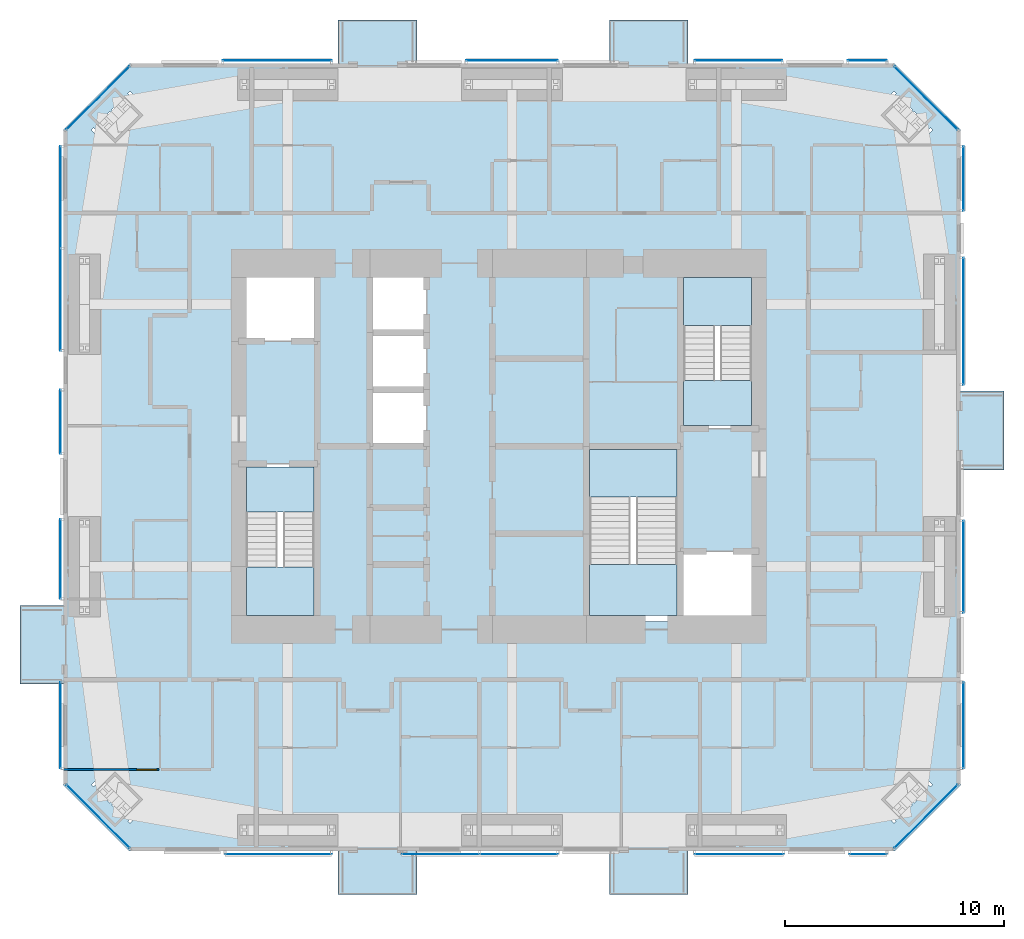
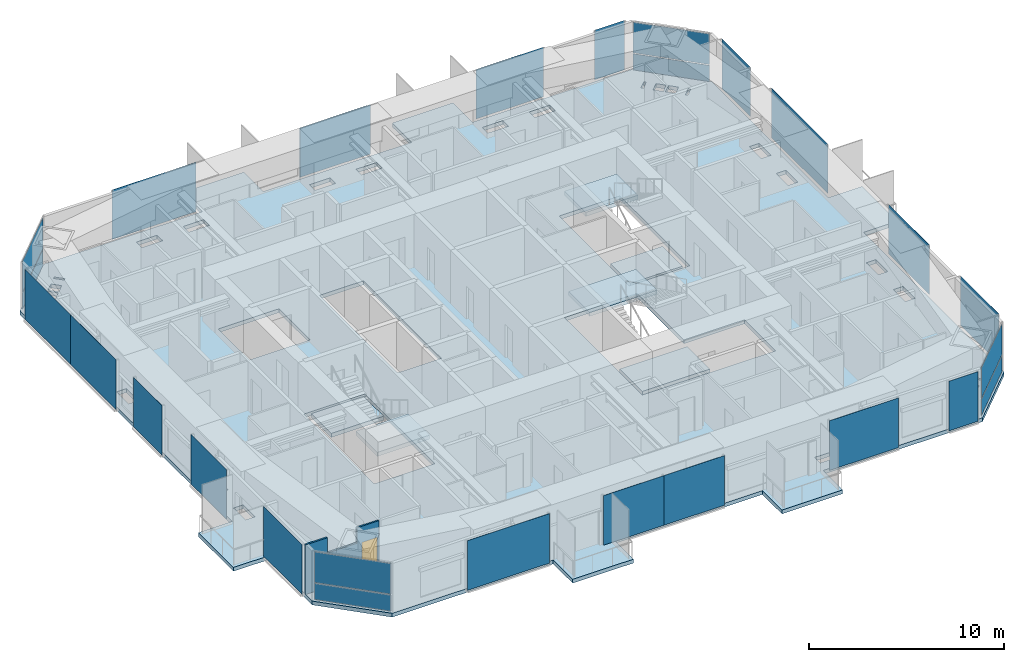
# One storey, part 14 of 23: 26 plates, 7 slabs, 1 door, 1 wall, 1 opening, 23 elements without a shape of their own.
"""IFC4 building model written with IfcOpenShell, lengths in metres."""

import ifcopenshell
import ifcopenshell.guid

model = None  # the IFC model being written
_history = None  # IfcOwnerHistory: only IFC2X3 demands one
_inside = {}  # id of a spatial element -> (the spatial element, [elements in it])
_under = {}  # id of a project, library or spatial element -> (it, [spatial elements below it])
_declared = {}  # id of a project -> (the project, [libraries it declares])
_typed = {}  # id of a type object -> (the type object, [elements of that type])
_made_of = {}  # id of a material, layer set ... -> (it, [elements and type objects made of it])


def new_model(schema):
    """Start an empty IFC model of exactly this schema.

    Asked for "IFC4X3", IfcOpenShell would pick the latest addendum, in which some entities
    have other attributes; the version numbers below select the first issue.
    IFC2X3 requires an IfcOwnerHistory on every rooted entity: one is made here for all.
    """
    global model, _history
    if schema == "IFC4X3":
        model = ifcopenshell.file(schema_version=(4, 3, 0, 0))
    else:
        model = ifcopenshell.file(schema=schema)
    _inside.clear()
    _under.clear()
    _declared.clear()
    _typed.clear()
    _made_of.clear()
    _history = None
    if model.schema == "IFC2X3":
        org = make("IfcOrganization", Name="unknown")
        user = make(
            "IfcPersonAndOrganization",
            ThePerson=make("IfcPerson", FamilyName="unknown"),
            TheOrganization=org,
        )
        app = make(
            "IfcApplication",
            ApplicationDeveloper=org,
            Version="unknown",
            ApplicationFullName="unknown",
            ApplicationIdentifier="unknown",
        )
        _history = make(
            "IfcOwnerHistory",
            OwningUser=user,
            OwningApplication=app,
            ChangeAction="ADDED",
            CreationDate=0,
        )
    return model


def make(cls, **values):
    """One entity of the class cls with the attributes given. An attribute that is None is left unset."""
    return model.create_entity(
        cls, **{name: value for name, value in values.items() if value is not None}
    )


def rooted(cls, **values):
    """An entity with a GlobalId (a new one), such as an element, a storey or a relation."""
    return make(cls, GlobalId=ifcopenshell.guid.new(), OwnerHistory=_history, **values)


def si_unit(unit_type, name, prefix=None):
    """IfcSIUnit, for example si_unit("LENGTHUNIT", "METRE", prefix="MILLI")."""
    return make("IfcSIUnit", UnitType=unit_type, Prefix=prefix, Name=name)


def assignment(units):
    """IfcUnitAssignment: the units of a project."""
    return None if units is None else make("IfcUnitAssignment", Units=units)


def point(xyz):
    """IfcCartesianPoint."""
    return None if xyz is None else make("IfcCartesianPoint", Coordinates=xyz)


def direction(xyz):
    """IfcDirection."""
    return None if xyz is None else make("IfcDirection", DirectionRatios=xyz)


def frame(location, z_axis=None, x_axis=None):
    """IfcAxis2Placement3D, a coordinate frame: its origin and axes. An axis left out is left unset."""
    return make(
        "IfcAxis2Placement3D",
        Location=point(location),
        Axis=direction(z_axis),
        RefDirection=direction(x_axis),
    )


def frame_2d(location, x_axis=None):
    """IfcAxis2Placement2D, a coordinate frame in the plane: its origin and x axis."""
    return make(
        "IfcAxis2Placement2D", Location=point(location), RefDirection=direction(x_axis)
    )


def origin():
    """The frame at (0, 0, 0) with its axes left unset."""
    return frame((0.0, 0.0, 0.0))


def origin_2d():
    """The frame at (0, 0) in the plane with its x axis left unset."""
    return frame_2d((0.0, 0.0))


def place(relative_to, where):
    """IfcLocalPlacement: puts the frame where relative to a parent placement (None: the world)."""
    return make(
        "IfcLocalPlacement", PlacementRelTo=relative_to, RelativePlacement=where
    )


def context(
    kind, dimensions, precision=None, world=None, true_north=None, identifier=None
):
    """IfcGeometricRepresentationContext, for example the 3D "Model" context."""
    return make(
        "IfcGeometricRepresentationContext",
        ContextIdentifier=identifier,
        ContextType=kind,
        CoordinateSpaceDimension=dimensions,
        Precision=precision,
        WorldCoordinateSystem=world,
        TrueNorth=true_north,
    )


def subcontext(parent, identifier, kind, view, scale=None):
    """IfcGeometricRepresentationSubContext, for example "Body" below "Model"."""
    return make(
        "IfcGeometricRepresentationSubContext",
        ContextIdentifier=identifier,
        ContextType=kind,
        ParentContext=parent,
        TargetScale=scale,
        TargetView=view,
    )


def project(units=None, contexts=None):
    """IfcProject with its units and contexts."""
    return rooted(
        "IfcProject",
        Name="project",
        RepresentationContexts=contexts,
        UnitsInContext=assignment(units),
    )


def spatial(cls, under=None, at=None, **own):
    """A site, building, storey or space (cls), placed at a placement, below another one or the project."""
    s = rooted(cls, ObjectPlacement=at, **own)
    if under is not None:
        _under.setdefault(under.id(), (under, []))[1].append(s)
    return s


def polyline(points):
    """IfcPolyline through the points."""
    return make("IfcPolyline", Points=[point(p) for p in points])


def profile(cls, at=None, kind="AREA", **sizes):
    """A parametric profile (cls). Its sizes go by their IFC names, for example OverallWidth=200.0."""
    return make(cls, ProfileType=kind, Position=at, **sizes)


def rectangle(**sizes):
    """IfcRectangleProfileDef."""
    return profile("IfcRectangleProfileDef", **sizes)


def outline(outer, holes=None, kind="AREA"):
    """IfcArbitraryClosedProfileDef: a profile drawn as a closed curve; with holes, ...WithVoids."""
    if holes is None:
        return make("IfcArbitraryClosedProfileDef", ProfileType=kind, OuterCurve=outer)
    return make(
        "IfcArbitraryProfileDefWithVoids",
        ProfileType=kind,
        OuterCurve=outer,
        InnerCurves=holes,
    )


def extrude(swept, where, along, depth):
    """IfcExtrudedAreaSolid: the profile swept, set in the frame where, extruded along a direction by depth."""
    return make(
        "IfcExtrudedAreaSolid",
        SweptArea=swept,
        Position=where,
        ExtrudedDirection=direction(along),
        Depth=depth,
    )


def shape(context_of_items, identifier, shape_type, items):
    """IfcShapeRepresentation: the items that make up one representation, for example the "Body"."""
    return make(
        "IfcShapeRepresentation",
        ContextOfItems=context_of_items,
        RepresentationIdentifier=identifier,
        RepresentationType=shape_type,
        Items=items,
    )


def material(Name=None, Category=None):
    """IfcMaterial."""
    return make("IfcMaterial", Name=Name, Category=Category)


def layer(
    of_material, thickness, ventilated=None, Name=None, Category=None, Priority=None
):
    """IfcMaterialLayer: one layer of a wall or slab, of a material (None: an air gap)."""
    return make(
        "IfcMaterialLayer",
        Material=of_material,
        LayerThickness=thickness,
        IsVentilated=ventilated,
        Name=Name,
        Category=Category,
        Priority=Priority,
    )


def layer_set(layers, Name=None):
    """IfcMaterialLayerSet."""
    return make("IfcMaterialLayerSet", MaterialLayers=layers, LayerSetName=Name)


def constituent(of_material, Name=None, Category=None, fraction=None):
    """IfcMaterialConstituent: one of the materials an element consists of."""
    return make(
        "IfcMaterialConstituent",
        Name=Name,
        Material=of_material,
        Fraction=fraction,
        Category=Category,
    )


def constituent_set(constituents=None, Name=None):
    """IfcMaterialConstituentSet."""
    return make(
        "IfcMaterialConstituentSet", Name=Name, MaterialConstituents=constituents
    )


def made_of(thing, what):
    """Note that an element or type object is made of a material, layer set ...; save() writes the relation."""
    if what is not None:
        _made_of.setdefault(what.id(), (what, []))[1].append(thing)
    return thing


def type_object(cls, material=None, **own):
    """A type object (cls), such as IfcWallType, which elements share."""
    return made_of(rooted(cls, **own), material)


def element(
    cls,
    number,
    at=None,
    inside=None,
    cuts=None,
    type_object=None,
    material=None,
    context=None,
    identifier="Body",
    shape_type=None,
    held_by="IfcProductDefinitionShape",
    body=None,
    shapes=None,
    **own,
):
    """One element of the class cls, such as IfcWall. Its Tag is "e" and its number.

    at: its placement. inside: the storey or other place that contains it. cuts: it is an
    opening in that element (IfcRelVoidsElement). A single representation is given by context,
    identifier, shape_type and body (its items); several are given by shapes. held_by: the class
    of the entity that holds the representations. save() writes the other relations.
    """
    e = rooted(cls, Tag="e%d" % number, ObjectPlacement=at, **own)
    if body is not None:
        shapes = [shape(context, identifier, shape_type, body)]
    if shapes is not None:
        e.Representation = make(held_by, Representations=shapes)
    if inside is not None:
        _inside.setdefault(inside.id(), (inside, []))[1].append(e)
    if cuts is not None:
        rooted(
            "IfcRelVoidsElement", RelatingBuildingElement=cuts, RelatedOpeningElement=e
        )
    if type_object is not None:
        _typed.setdefault(type_object.id(), (type_object, []))[1].append(e)
    return made_of(e, material)


def fill(opening, filler):
    """IfcRelFillsElement: the door or window that sits in an opening."""
    return rooted(
        "IfcRelFillsElement",
        RelatingOpeningElement=opening,
        RelatedBuildingElement=filler,
    )


def aggregate(whole, parts):
    """IfcRelAggregates: a whole, such as a stair, and the parts it consists of."""
    return rooted("IfcRelAggregates", RelatingObject=whole, RelatedObjects=parts)


def save(model, path):
    """Write the relations noted so far, then the file.

    IfcRelAggregates (storeys below a building ...), IfcRelContainedInSpatialStructure (elements
    in a storey), IfcRelDefinesByType, IfcRelAssociatesMaterial and IfcRelDeclares: one each for
    every whole, place, type object, material and project.
    """
    for whole, parts in _under.values():
        aggregate(whole, parts)
    for where, things in _inside.values():
        rooted(
            "IfcRelContainedInSpatialStructure",
            RelatedElements=things,
            RelatingStructure=where,
        )
    for kind, things in _typed.values():
        rooted("IfcRelDefinesByType", RelatedObjects=things, RelatingType=kind)
    for what, things in _made_of.values():
        rooted("IfcRelAssociatesMaterial", RelatedObjects=things, RelatingMaterial=what)
    for by, libraries in _declared.values():
        rooted("IfcRelDeclares", RelatingContext=by, RelatedDefinitions=libraries)
    model.write(path)


model = new_model("IFC4")

# Units and contexts
model_context = context("Model", 3, precision=1e-05, world=origin(), true_north=direction((0.0, 1.0)))
body_context = subcontext(model_context, "Body", "Model", "MODEL_VIEW")
ifc_project = project(units=[si_unit("LENGTHUNIT", "METRE"), si_unit("AREAUNIT", "SQUARE_METRE"), si_unit("VOLUMEUNIT", "CUBIC_METRE"), si_unit("PLANEANGLEUNIT", "RADIAN"), si_unit("MASSUNIT", "GRAM", prefix="KILO")], contexts=[model_context])

# Site, building, storey
site_placement = place(None, origin())
site = spatial("IfcSite", under=ifc_project, at=site_placement, CompositionType="ELEMENT")
building_placement = place(site_placement, origin())
building = spatial("IfcBuilding", under=site, at=building_placement, Name="Jalousie Tower", CompositionType="ELEMENT")
storey_placement = place(building_placement, frame((0.0, 0.0, 157.699951171875)))
storey = spatial("IfcBuildingStorey", under=building, at=storey_placement, Name="L42", CompositionType="ELEMENT", Elevation=157.699951171875)

# Curtain wall, plates
ifc_material_1 = material(Name="Aluminium curtain wall", Category="aluminium")
curtain_wall_type_1 = type_object("IfcCurtainWallType", Name="CORNER WINDOW WALL", PredefinedType="USERDEFINED", material=ifc_material_1)
curtain_wall_1_placement = place(storey_placement, origin())
curtain_wall_1 = element("IfcCurtainWall", 1, at=curtain_wall_1_placement, inside=storey, type_object=curtain_wall_type_1, Name="Corner Window Wall L42 2", ObjectType="CORNER WINDOW WALL", PredefinedType="USERDEFINED")
ifc_material_2 = material(Name="Laminated impact-rated spandrel glass", Category="glass")
ifc_layer_1 = layer(ifc_material_2, 0.028076171875)
ifc_layer_set_1 = layer_set([ifc_layer_1], Name="Laminated impact-rated spandrel glass")
plate_type_1 = type_object("IfcPlateType", Name="CORNER WINDOW WALL PANEL", PredefinedType="CURTAIN_PANEL", material=ifc_layer_set_1)
plate_1_placement = place(storey_placement, frame((51.4306640625, 1.5693359375, 0.06005859375), z_axis=(0.0, 0.0, 1.0), x_axis=(0.707106781187, 0.707106781187, 0.0)))
plate_1 = element("IfcPlate", 2, at=plate_1_placement, type_object=plate_type_1, Name="CW-C panel 1.1", PredefinedType="CURTAIN_PANEL", context=body_context, shape_type="SweptSolid", body=[
    extrude(rectangle(XDim=4.071533203125, YDim=0.028076171875, at=origin_2d()), origin(), (0.0, 0.0, 1.0), 1.010009765625),
])
plate_2_placement = place(storey_placement, frame((51.4306640625, 1.5693359375, 1.130126953125), z_axis=(0.0, 0.0, 1.0), x_axis=(0.707106781187, 0.707106781187, 0.0)))
plate_2 = element("IfcPlate", 3, at=plate_2_placement, type_object=plate_type_1, Name="CW-C panel 1.2", PredefinedType="CURTAIN_PANEL", context=body_context, shape_type="SweptSolid", body=[
    extrude(rectangle(XDim=4.071533203125, YDim=0.028076171875, at=origin_2d()), origin(), (0.0, 0.0, 1.0), 1.919921875),
])
aggregate(curtain_wall_1, [plate_1, plate_2])

curtain_wall_2_placement = place(storey_placement, origin())
curtain_wall_2 = element("IfcCurtainWall", 4, at=curtain_wall_2_placement, inside=storey, type_object=curtain_wall_type_1, Name="Corner Window Wall L42 4", ObjectType="CORNER WINDOW WALL", PredefinedType="USERDEFINED")
plate_3_placement = place(storey_placement, frame((51.4306640625, 34.4306640625, 0.06005859375), z_axis=(0.0, 0.0, 1.0), x_axis=(-0.707106781187, 0.707106781187, 0.0)))
plate_3 = element("IfcPlate", 5, at=plate_3_placement, type_object=plate_type_1, Name="CW-C panel 1.1", PredefinedType="CURTAIN_PANEL", context=body_context, shape_type="SweptSolid", body=[
    extrude(rectangle(XDim=4.071533203125, YDim=0.028076171875, at=origin_2d()), origin(), (0.0, 0.0, 1.0), 1.010009765625),
])
plate_4_placement = place(storey_placement, frame((51.4306640625, 34.4306640625, 1.130126953125), z_axis=(0.0, 0.0, 1.0), x_axis=(-0.707106781187, 0.707106781187, 0.0)))
plate_4 = element("IfcPlate", 6, at=plate_4_placement, type_object=plate_type_1, Name="CW-C panel 1.2", PredefinedType="CURTAIN_PANEL", context=body_context, shape_type="SweptSolid", body=[
    extrude(rectangle(XDim=4.071533203125, YDim=0.028076171875, at=origin_2d()), origin(), (0.0, 0.0, 1.0), 1.919921875),
])
aggregate(curtain_wall_2, [plate_3, plate_4])

curtain_wall_3_placement = place(storey_placement, origin())
curtain_wall_3 = element("IfcCurtainWall", 7, at=curtain_wall_3_placement, inside=storey, type_object=curtain_wall_type_1, Name="Corner Window Wall L42 6", ObjectType="CORNER WINDOW WALL", PredefinedType="USERDEFINED")
plate_5_placement = place(storey_placement, frame((13.5693359375, 34.4306640625, 0.06005859375), z_axis=(0.0, 0.0, 1.0), x_axis=(-0.707106781187, -0.707106781187, 0.0)))
plate_5 = element("IfcPlate", 8, at=plate_5_placement, type_object=plate_type_1, Name="CW-C panel 1.1", PredefinedType="CURTAIN_PANEL", context=body_context, shape_type="SweptSolid", body=[
    extrude(rectangle(XDim=4.071533203125, YDim=0.028076171875, at=origin_2d()), origin(), (0.0, 0.0, 1.0), 1.010009765625),
])
plate_6_placement = place(storey_placement, frame((13.5693359375, 34.4306640625, 1.130126953125), z_axis=(0.0, 0.0, 1.0), x_axis=(-0.707106781187, -0.707106781187, 0.0)))
plate_6 = element("IfcPlate", 9, at=plate_6_placement, type_object=plate_type_1, Name="CW-C panel 1.2", PredefinedType="CURTAIN_PANEL", context=body_context, shape_type="SweptSolid", body=[
    extrude(rectangle(XDim=4.071533203125, YDim=0.028076171875, at=origin_2d()), origin(), (0.0, 0.0, 1.0), 1.919921875),
])
aggregate(curtain_wall_3, [plate_5, plate_6])

curtain_wall_4_placement = place(storey_placement, origin())
curtain_wall_4 = element("IfcCurtainWall", 10, at=curtain_wall_4_placement, inside=storey, type_object=curtain_wall_type_1, Name="Corner Window Wall L42 8", ObjectType="CORNER WINDOW WALL", PredefinedType="USERDEFINED")
plate_7_placement = place(storey_placement, frame((13.5693359375, 1.5693359375, 0.06005859375), z_axis=(0.0, 0.0, 1.0), x_axis=(0.707106781187, -0.707106781187, 0.0)))
plate_7 = element("IfcPlate", 11, at=plate_7_placement, type_object=plate_type_1, Name="CW-C panel 1.1", PredefinedType="CURTAIN_PANEL", context=body_context, shape_type="SweptSolid", body=[
    extrude(rectangle(XDim=4.071533203125, YDim=0.028076171875, at=origin_2d()), origin(), (0.0, 0.0, 1.0), 1.010009765625),
])
plate_8_placement = place(storey_placement, frame((13.5693359375, 1.5693359375, 1.130126953125), z_axis=(0.0, 0.0, 1.0), x_axis=(0.707106781187, -0.707106781187, 0.0)))
plate_8 = element("IfcPlate", 12, at=plate_8_placement, type_object=plate_type_1, Name="CW-C panel 1.2", PredefinedType="CURTAIN_PANEL", context=body_context, shape_type="SweptSolid", body=[
    extrude(rectangle(XDim=4.071533203125, YDim=0.028076171875, at=origin_2d()), origin(), (0.0, 0.0, 1.0), 1.919921875),
])
aggregate(curtain_wall_4, [plate_7, plate_8])

# Slab
ifc_material_3 = material(Name="Concrete f'c 40 MPa", Category="concrete")
ifc_layer_2 = layer(ifc_material_3, 0.239990234375)
ifc_layer_set_2 = layer_set([ifc_layer_2], Name="Concrete f'c 40 MPa")
slab_type_1 = type_object("IfcSlabType", Name="FLOOR SLAB 240", PredefinedType="FLOOR", material=ifc_layer_set_2)
slab_1_placement = place(storey_placement, frame((0.0, 0.0, -0.239990234375)))
element("IfcSlab", 13, at=slab_1_placement, inside=storey, type_object=slab_type_1, Name="L42 floor slab", PredefinedType="FLOOR", context=body_context, shape_type="SweptSolid", body=[
    extrude(outline(polyline([(40.550048828125, 38.0), (40.550048828125, 36.0), (50.0, 36.0), (53.0, 33.0), (53.0, 21.02490234375), (55.0, 21.02490234375), (55.0, 17.425048828125), (53.0, 17.425048828125), (53.0, 3.0), (50.0, 0.0), (40.550048828125, 0.0), (40.550048828125, -2.0), (36.949951171875, -2.0), (36.949951171875, 0.0), (28.14990234375, 0.0), (28.14990234375, -2.0), (24.550048828125, -2.0), (24.550048828125, 0.0), (15.0, 0.0), (12.0, 3.0), (12.0, 7.625), (10.0, 7.625), (10.0, 11.22509765625), (12.0, 11.22509765625), (12.0, 33.0), (15.0, 36.0), (24.550048828125, 36.0), (24.550048828125, 38.0), (28.14990234375, 38.0), (28.14990234375, 36.0), (36.949951171875, 36.0), (36.949951171875, 38.0), (40.550048828125, 38.0)]), holes=[polyline([(51.763916015625, 27.0), (51.763916015625, 25.77294921875), (52.336181640625, 25.77294921875), (52.336181640625, 27.0), (51.763916015625, 27.0)]), polyline([(52.336181640625, 24.22705078125), (51.763916015625, 24.22705078125), (51.763916015625, 23.0), (52.336181640625, 23.0), (52.336181640625, 24.22705078125)]), polyline([(52.336181640625, 15.0), (51.763916015625, 15.0), (51.763916015625, 13.77294921875), (52.336181640625, 13.77294921875), (52.336181640625, 15.0)]), polyline([(52.336181640625, 12.22705078125), (51.763916015625, 12.22705078125), (51.763916015625, 11.0), (52.336181640625, 11.0), (52.336181640625, 12.22705078125)]), polyline([(51.73779296875, 32.969970703125), (51.642578125, 33.06494140625), (51.23779296875, 32.660400390625), (51.3330078125, 32.565185546875), (51.73779296875, 32.969970703125)]), polyline([(51.23779296875, 3.339599609375), (51.642578125, 2.93505859375), (51.73779296875, 3.030029296875), (51.3330078125, 3.434814453125), (51.23779296875, 3.339599609375)]), polyline([(50.4912109375, 33.406982421875), (50.873291015625, 33.02490234375), (51.278076171875, 33.4296875), (50.89599609375, 33.811767578125), (50.4912109375, 33.406982421875)]), polyline([(50.89599609375, 2.188232421875), (51.278076171875, 2.5703125), (50.873291015625, 2.97509765625), (50.4912109375, 2.593017578125), (50.89599609375, 2.188232421875)]), polyline([(50.811767578125, 33.89599609375), (50.4296875, 34.278076171875), (50.02490234375, 33.873291015625), (50.406982421875, 33.4912109375), (50.811767578125, 33.89599609375)]), polyline([(50.406982421875, 2.5087890625), (50.02490234375, 2.126708984375), (50.4296875, 1.721923828125), (50.811767578125, 2.10400390625), (50.406982421875, 2.5087890625)]), polyline([(49.565185546875, 34.3330078125), (49.660400390625, 34.23779296875), (50.06494140625, 34.642578125), (49.969970703125, 34.73779296875), (49.565185546875, 34.3330078125)]), polyline([(49.969970703125, 1.26220703125), (50.06494140625, 1.357421875), (49.660400390625, 1.76220703125), (49.565185546875, 1.6669921875), (49.969970703125, 1.26220703125)]), polyline([(43.52294921875, 34.763916015625), (44.75, 34.763916015625), (44.75, 35.336181640625), (43.52294921875, 35.336181640625), (43.52294921875, 34.763916015625)]), polyline([(43.52294921875, 0.663818359375), (44.75, 0.663818359375), (44.75, 1.236083984375), (43.52294921875, 1.236083984375), (43.52294921875, 0.663818359375)]), polyline([(43.800048828125, 26.5), (40.199951171875, 26.5), (40.199951171875, 19.300048828125), (43.800048828125, 19.300048828125), (43.800048828125, 26.5)]), polyline([(35.89990234375, 18.5), (35.89990234375, 10.5), (43.800048828125, 10.5), (43.800048828125, 13.699951171875), (40.199951171875, 13.699951171875), (40.199951171875, 18.5), (35.89990234375, 18.5)]), polyline([(40.75, 35.336181640625), (40.75, 34.763916015625), (41.97705078125, 34.763916015625), (41.97705078125, 35.336181640625), (40.75, 35.336181640625)]), polyline([(41.97705078125, 1.236083984375), (40.75, 1.236083984375), (40.75, 0.663818359375), (41.97705078125, 0.663818359375), (41.97705078125, 1.236083984375)]), polyline([(34.5, 0.663818359375), (34.5, 1.236083984375), (33.27294921875, 1.236083984375), (33.27294921875, 0.663818359375), (34.5, 0.663818359375)]), polyline([(34.5, 34.763916015625), (34.5, 35.336181640625), (33.27294921875, 35.336181640625), (33.27294921875, 34.763916015625), (34.5, 34.763916015625)]), polyline([(30.5, 35.336181640625), (30.5, 34.763916015625), (31.72705078125, 34.763916015625), (31.72705078125, 35.336181640625), (30.5, 35.336181640625)]), polyline([(30.5, 1.236083984375), (30.5, 0.663818359375), (31.72705078125, 0.663818359375), (31.72705078125, 1.236083984375), (30.5, 1.236083984375)]), polyline([(26.0, 26.5), (26.0, 18.5), (28.60009765625, 18.5), (28.60009765625, 26.5), (26.0, 26.5)]), polyline([(23.02294921875, 35.336181640625), (23.02294921875, 34.763916015625), (24.25, 34.763916015625), (24.25, 35.336181640625), (23.02294921875, 35.336181640625)]), polyline([(24.25, 0.663818359375), (24.25, 1.236083984375), (23.02294921875, 1.236083984375), (23.02294921875, 0.663818359375), (24.25, 0.663818359375)]), polyline([(23.60009765625, 26.5), (20.0, 26.5), (20.0, 23.300048828125), (23.60009765625, 23.300048828125), (23.60009765625, 26.5)]), polyline([(23.60009765625, 17.699951171875), (20.0, 17.699951171875), (20.0, 10.5), (23.60009765625, 10.5), (23.60009765625, 17.699951171875)]), polyline([(21.47705078125, 34.763916015625), (21.47705078125, 35.336181640625), (20.25, 35.336181640625), (20.25, 34.763916015625), (21.47705078125, 34.763916015625)]), polyline([(21.47705078125, 0.663818359375), (21.47705078125, 1.236083984375), (20.25, 1.236083984375), (20.25, 0.663818359375), (21.47705078125, 0.663818359375)]), polyline([(15.030029296875, 34.73779296875), (14.93505859375, 34.642578125), (15.339599609375, 34.23779296875), (15.434814453125, 34.3330078125), (15.030029296875, 34.73779296875)]), polyline([(15.434814453125, 1.6669921875), (15.339599609375, 1.76220703125), (14.93505859375, 1.357421875), (15.030029296875, 1.26220703125), (15.434814453125, 1.6669921875)]), polyline([(14.188232421875, 2.10400390625), (14.5703125, 1.721923828125), (14.97509765625, 2.126708984375), (14.593017578125, 2.5087890625), (14.188232421875, 2.10400390625)]), polyline([(14.593017578125, 33.4912109375), (14.97509765625, 33.873291015625), (14.5703125, 34.278076171875), (14.188232421875, 33.89599609375), (14.593017578125, 33.4912109375)]), polyline([(13.721923828125, 33.4296875), (14.126708984375, 33.02490234375), (14.5087890625, 33.406982421875), (14.10400390625, 33.811767578125), (13.721923828125, 33.4296875)]), polyline([(14.5087890625, 2.593017578125), (14.126708984375, 2.97509765625), (13.721923828125, 2.5703125), (14.10400390625, 2.188232421875), (14.5087890625, 2.593017578125)]), polyline([(13.26220703125, 3.030029296875), (13.357421875, 2.93505859375), (13.76220703125, 3.339599609375), (13.6669921875, 3.434814453125), (13.26220703125, 3.030029296875)]), polyline([(13.6669921875, 32.565185546875), (13.76220703125, 32.660400390625), (13.357421875, 33.06494140625), (13.26220703125, 32.969970703125), (13.6669921875, 32.565185546875)]), polyline([(12.663818359375, 23.0), (13.236083984375, 23.0), (13.236083984375, 24.22705078125), (12.663818359375, 24.22705078125), (12.663818359375, 23.0)]), polyline([(13.236083984375, 27.0), (12.663818359375, 27.0), (12.663818359375, 25.77294921875), (13.236083984375, 25.77294921875), (13.236083984375, 27.0)]), polyline([(12.663818359375, 15.0), (12.663818359375, 13.77294921875), (13.236083984375, 13.77294921875), (13.236083984375, 15.0), (12.663818359375, 15.0)]), polyline([(13.236083984375, 12.22705078125), (12.663818359375, 12.22705078125), (12.663818359375, 11.0), (13.236083984375, 11.0), (13.236083984375, 12.22705078125)])]), origin(), (0.0, 0.0, 1.0), 0.239990234375),
])

# Curtain wall, plate
ifc_material_4 = material(Name="Perforated aluminium sheet", Category="aluminium")
curtain_wall_type_2 = type_object("IfcCurtainWallType", Name="SOLAR SCREEN SS-1", PredefinedType="USERDEFINED", material=ifc_material_4)
curtain_wall_5_placement = place(storey_placement, origin())
curtain_wall_5 = element("IfcCurtainWall", 14, at=curtain_wall_5_placement, inside=storey, type_object=curtain_wall_type_2, Name="Solar screen L42", ObjectType="SOLAR SCREEN SS-1", PredefinedType="USERDEFINED")
ifc_material_5 = material(Name="Perforated aluminium sheet", Category="aluminium")
ifc_layer_3 = layer(ifc_material_5, 0.006103515625)
ifc_layer_set_3 = layer_set([ifc_layer_3], Name="Perforated aluminium sheet")
plate_type_2 = type_object("IfcPlateType", Name="SOLAR SCREEN SS-1 PANEL", PredefinedType="CURTAIN_PANEL", material=ifc_layer_set_3)
plate_9_placement = place(storey_placement, frame((21.812744140625, -0.150390625, 0.0), z_axis=(0.0, 0.0, 1.0), x_axis=(1.0, 0.0, 0.0)))
plate_9 = element("IfcPlate", 15, at=plate_9_placement, type_object=plate_type_2, Name="SS1 perforated panel 1", PredefinedType="CURTAIN_PANEL", context=body_context, shape_type="SweptSolid", body=[
    extrude(rectangle(XDim=4.874267578125, YDim=0.006103515625, at=origin_2d()), origin(), (0.0, 0.0, 1.0), 3.110107421875),
])
aggregate(curtain_wall_5, [plate_9])

# Curtain wall, plates
curtain_wall_6_placement = place(storey_placement, origin())
curtain_wall_6 = element("IfcCurtainWall", 16, at=curtain_wall_6_placement, inside=storey, type_object=curtain_wall_type_2, Name="Solar screen L42", ObjectType="SOLAR SCREEN SS-1", PredefinedType="USERDEFINED")
plate_10_placement = place(storey_placement, frame((29.237548828125, -0.150390625, 0.0), z_axis=(0.0, 0.0, 1.0), x_axis=(1.0, 0.0, 0.0)))
plate_10 = element("IfcPlate", 17, at=plate_10_placement, type_object=plate_type_2, Name="SS1 perforated panel 1", PredefinedType="CURTAIN_PANEL", context=body_context, shape_type="SweptSolid", body=[
    extrude(rectangle(XDim=3.574951171875, YDim=0.006103515625, at=origin_2d()), origin(), (0.0, 0.0, 1.0), 3.110107421875),
])
plate_11_placement = place(storey_placement, frame((32.8125, -0.150390625, 0.0), z_axis=(0.0, 0.0, 1.0), x_axis=(1.0, 0.0, 0.0)))
plate_11 = element("IfcPlate", 18, at=plate_11_placement, type_object=plate_type_2, Name="SS1 perforated panel 2", PredefinedType="CURTAIN_PANEL", context=body_context, shape_type="SweptSolid", body=[
    extrude(rectangle(XDim=3.574951171875, YDim=0.006103515625, at=origin_2d()), origin(), (0.0, 0.0, 1.0), 3.110107421875),
])
aggregate(curtain_wall_6, [plate_10, plate_11])

# Curtain wall, plate
curtain_wall_7_placement = place(storey_placement, origin())
curtain_wall_7 = element("IfcCurtainWall", 19, at=curtain_wall_7_placement, inside=storey, type_object=curtain_wall_type_2, Name="Solar screen L42", ObjectType="SOLAR SCREEN SS-1", PredefinedType="USERDEFINED")
plate_12_placement = place(storey_placement, frame((42.885986328125, -0.150390625, 0.0), z_axis=(0.0, 0.0, 1.0), x_axis=(1.0, 0.0, 0.0)))
plate_12 = element("IfcPlate", 20, at=plate_12_placement, type_object=plate_type_2, Name="SS1 perforated panel 1", PredefinedType="CURTAIN_PANEL", context=body_context, shape_type="SweptSolid", body=[
    extrude(rectangle(XDim=4.07177734375, YDim=0.006103515625, at=origin_2d()), origin(), (0.0, 0.0, 1.0), 3.110107421875),
])
aggregate(curtain_wall_7, [plate_12])

curtain_wall_8_placement = place(storey_placement, origin())
curtain_wall_8 = element("IfcCurtainWall", 21, at=curtain_wall_8_placement, inside=storey, type_object=curtain_wall_type_2, Name="Solar screen L42", ObjectType="SOLAR SCREEN SS-1", PredefinedType="USERDEFINED")
plate_13_placement = place(storey_placement, frame((48.78515625, -0.150390625, 0.0), z_axis=(0.0, 0.0, 1.0), x_axis=(1.0, 0.0, 0.0)))
plate_13 = element("IfcPlate", 22, at=plate_13_placement, type_object=plate_type_2, Name="SS1 perforated panel 1", PredefinedType="CURTAIN_PANEL", context=body_context, shape_type="SweptSolid", body=[
    extrude(rectangle(XDim=1.72705078125, YDim=0.006103515625, at=origin_2d()), origin(), (0.0, 0.0, 1.0), 3.110107421875),
])
aggregate(curtain_wall_8, [plate_13])

curtain_wall_9_placement = place(storey_placement, origin())
curtain_wall_9 = element("IfcCurtainWall", 23, at=curtain_wall_9_placement, inside=storey, type_object=curtain_wall_type_2, Name="Solar screen L42", ObjectType="SOLAR SCREEN SS-1", PredefinedType="USERDEFINED")
plate_14_placement = place(storey_placement, frame((53.150390625, 5.748046875, 0.0), z_axis=(0.0, 0.0, 1.0), x_axis=(0.0, 1.0, 0.0)))
plate_14 = element("IfcPlate", 24, at=plate_14_placement, type_object=plate_type_2, Name="SS1 perforated panel 1", PredefinedType="CURTAIN_PANEL", context=body_context, shape_type="SweptSolid", body=[
    extrude(rectangle(XDim=3.95361328125, YDim=0.006103515625, at=origin_2d()), origin(), (0.0, 0.0, 1.0), 3.110107421875),
])
aggregate(curtain_wall_9, [plate_14])

curtain_wall_10_placement = place(storey_placement, origin())
curtain_wall_10 = element("IfcCurtainWall", 25, at=curtain_wall_10_placement, inside=storey, type_object=curtain_wall_type_2, Name="Solar screen L42", ObjectType="SOLAR SCREEN SS-1", PredefinedType="USERDEFINED")
plate_15_placement = place(storey_placement, frame((53.150390625, 13.0, 0.0), z_axis=(0.0, 0.0, 1.0), x_axis=(0.0, 1.0, 0.0)))
plate_15 = element("IfcPlate", 26, at=plate_15_placement, type_object=plate_type_2, Name="SS1 perforated panel 1", PredefinedType="CURTAIN_PANEL", context=body_context, shape_type="SweptSolid", body=[
    extrude(rectangle(XDim=4.199951171875, YDim=0.006103515625, at=origin_2d()), origin(), (0.0, 0.0, 1.0), 3.110107421875),
])
aggregate(curtain_wall_10, [plate_15])

curtain_wall_11_placement = place(storey_placement, origin())
curtain_wall_11 = element("IfcCurtainWall", 27, at=curtain_wall_11_placement, inside=storey, type_object=curtain_wall_type_2, Name="Solar screen L42", ObjectType="SOLAR SCREEN SS-1", PredefinedType="USERDEFINED")
plate_16_placement = place(storey_placement, frame((53.150390625, 24.224853515625, 0.0), z_axis=(0.0, 0.0, 1.0), x_axis=(0.0, 1.0, 0.0)))
plate_16 = element("IfcPlate", 28, at=plate_16_placement, type_object=plate_type_2, Name="SS1 perforated panel 1", PredefinedType="CURTAIN_PANEL", context=body_context, shape_type="SweptSolid", body=[
    extrude(rectangle(XDim=5.799560546875, YDim=0.006103515625, at=origin_2d()), origin(), (0.0, 0.0, 1.0), 3.110107421875),
])
aggregate(curtain_wall_11, [plate_16])

curtain_wall_12_placement = place(storey_placement, origin())
curtain_wall_12 = element("IfcCurtainWall", 29, at=curtain_wall_12_placement, inside=storey, type_object=curtain_wall_type_2, Name="Solar screen L42", ObjectType="SOLAR SCREEN SS-1", PredefinedType="USERDEFINED")
plate_17_placement = place(storey_placement, frame((53.150390625, 30.751953125, 0.0), z_axis=(0.0, 0.0, 1.0), x_axis=(0.0, 1.0, 0.0)))
plate_17 = element("IfcPlate", 30, at=plate_17_placement, type_object=plate_type_2, Name="SS1 perforated panel 1", PredefinedType="CURTAIN_PANEL", context=body_context, shape_type="SweptSolid", body=[
    extrude(rectangle(XDim=2.95361328125, YDim=0.006103515625, at=origin_2d()), origin(), (0.0, 0.0, 1.0), 3.110107421875),
])
aggregate(curtain_wall_12, [plate_17])

curtain_wall_13_placement = place(storey_placement, origin())
curtain_wall_13 = element("IfcCurtainWall", 31, at=curtain_wall_13_placement, inside=storey, type_object=curtain_wall_type_2, Name="Solar screen L42", ObjectType="SOLAR SCREEN SS-1", PredefinedType="USERDEFINED")
plate_18_placement = place(storey_placement, frame((48.75390625, 36.150390625, 0.0), z_axis=(0.0, 0.0, 1.0), x_axis=(-1.0, 0.0, 0.0)))
plate_18 = element("IfcPlate", 32, at=plate_18_placement, type_object=plate_type_2, Name="SS1 perforated panel 1", PredefinedType="CURTAIN_PANEL", context=body_context, shape_type="SweptSolid", body=[
    extrude(rectangle(XDim=1.78955078125, YDim=0.006103515625, at=origin_2d()), origin(), (0.0, 0.0, 1.0), 3.110107421875),
])
aggregate(curtain_wall_13, [plate_18])

curtain_wall_14_placement = place(storey_placement, origin())
curtain_wall_14 = element("IfcCurtainWall", 33, at=curtain_wall_14_placement, inside=storey, type_object=curtain_wall_type_2, Name="Solar screen L42", ObjectType="SOLAR SCREEN SS-1", PredefinedType="USERDEFINED")
plate_19_placement = place(storey_placement, frame((42.8544921875, 36.150390625, 0.0), z_axis=(0.0, 0.0, 1.0), x_axis=(-1.0, 0.0, 0.0)))
plate_19 = element("IfcPlate", 34, at=plate_19_placement, type_object=plate_type_2, Name="SS1 perforated panel 1", PredefinedType="CURTAIN_PANEL", context=body_context, shape_type="SweptSolid", body=[
    extrude(rectangle(XDim=4.00927734375, YDim=0.006103515625, at=origin_2d()), origin(), (0.0, 0.0, 1.0), 3.110107421875),
])
aggregate(curtain_wall_14, [plate_19])

curtain_wall_15_placement = place(storey_placement, origin())
curtain_wall_15 = element("IfcCurtainWall", 35, at=curtain_wall_15_placement, inside=storey, type_object=curtain_wall_type_2, Name="Solar screen L42", ObjectType="SOLAR SCREEN SS-1", PredefinedType="USERDEFINED")
plate_20_placement = place(storey_placement, frame((32.5, 36.150390625, 0.0), z_axis=(0.0, 0.0, 1.0), x_axis=(-1.0, 0.0, 0.0)))
plate_20 = element("IfcPlate", 36, at=plate_20_placement, type_object=plate_type_2, Name="SS1 perforated panel 1", PredefinedType="CURTAIN_PANEL", context=body_context, shape_type="SweptSolid", body=[
    extrude(rectangle(XDim=4.199951171875, YDim=0.006103515625, at=origin_2d()), origin(), (0.0, 0.0, 1.0), 3.110107421875),
])
aggregate(curtain_wall_15, [plate_20])

curtain_wall_16_placement = place(storey_placement, origin())
curtain_wall_16 = element("IfcCurtainWall", 37, at=curtain_wall_16_placement, inside=storey, type_object=curtain_wall_type_2, Name="Solar screen L42", ObjectType="SOLAR SCREEN SS-1", PredefinedType="USERDEFINED")
plate_21_placement = place(storey_placement, frame((21.7626953125, 36.150390625, 0.0), z_axis=(0.0, 0.0, 1.0), x_axis=(-1.0, 0.0, 0.0)))
plate_21 = element("IfcPlate", 38, at=plate_21_placement, type_object=plate_type_2, Name="SS1 perforated panel 1", PredefinedType="CURTAIN_PANEL", context=body_context, shape_type="SweptSolid", body=[
    extrude(rectangle(XDim=4.974365234375, YDim=0.006103515625, at=origin_2d()), origin(), (0.0, 0.0, 1.0), 3.110107421875),
])
aggregate(curtain_wall_16, [plate_21])

# Curtain wall, plates
curtain_wall_17_placement = place(storey_placement, origin())
curtain_wall_17 = element("IfcCurtainWall", 39, at=curtain_wall_17_placement, inside=storey, type_object=curtain_wall_type_2, Name="Solar screen L42", ObjectType="SOLAR SCREEN SS-1", PredefinedType="USERDEFINED")
plate_22_placement = place(storey_placement, frame((11.849609375, 29.89208984375, 0.0), z_axis=(0.0, 0.0, 1.0), x_axis=(0.0, -1.0, 0.0)))
plate_22 = element("IfcPlate", 40, at=plate_22_placement, type_object=plate_type_2, Name="SS1 perforated panel 1", PredefinedType="CURTAIN_PANEL", context=body_context, shape_type="SweptSolid", body=[
    extrude(rectangle(XDim=4.67333984375, YDim=0.006103515625, at=origin_2d()), origin(), (0.0, 0.0, 1.0), 3.110107421875),
])
plate_23_placement = place(storey_placement, frame((11.849609375, 25.218505859375, 0.0), z_axis=(0.0, 0.0, 1.0), x_axis=(0.0, -1.0, 0.0)))
plate_23 = element("IfcPlate", 41, at=plate_23_placement, type_object=plate_type_2, Name="SS1 perforated panel 2", PredefinedType="CURTAIN_PANEL", context=body_context, shape_type="SweptSolid", body=[
    extrude(rectangle(XDim=4.67333984375, YDim=0.006103515625, at=origin_2d()), origin(), (0.0, 0.0, 1.0), 3.110107421875),
])
aggregate(curtain_wall_17, [plate_22, plate_23])

# Curtain wall, plate
curtain_wall_18_placement = place(storey_placement, origin())
curtain_wall_18 = element("IfcCurtainWall", 42, at=curtain_wall_18_placement, inside=storey, type_object=curtain_wall_type_2, Name="Solar screen L42", ObjectType="SOLAR SCREEN SS-1", PredefinedType="USERDEFINED")
plate_24_placement = place(storey_placement, frame((11.849609375, 19.623779296875, 0.0), z_axis=(0.0, 0.0, 1.0), x_axis=(0.0, -1.0, 0.0)))
plate_24 = element("IfcPlate", 43, at=plate_24_placement, type_object=plate_type_2, Name="SS1 perforated panel 1", PredefinedType="CURTAIN_PANEL", context=body_context, shape_type="SweptSolid", body=[
    extrude(rectangle(XDim=2.916015625, YDim=0.006103515625, at=origin_2d()), origin(), (0.0, 0.0, 1.0), 3.110107421875),
])
aggregate(curtain_wall_18, [plate_24])

curtain_wall_19_placement = place(storey_placement, origin())
curtain_wall_19 = element("IfcCurtainWall", 44, at=curtain_wall_19_placement, inside=storey, type_object=curtain_wall_type_2, Name="Solar screen L42", ObjectType="SOLAR SCREEN SS-1", PredefinedType="USERDEFINED")
plate_25_placement = place(storey_placement, frame((11.849609375, 13.345458984375, 0.0), z_axis=(0.0, 0.0, 1.0), x_axis=(0.0, -1.0, 0.0)))
plate_25 = element("IfcPlate", 45, at=plate_25_placement, type_object=plate_type_2, Name="SS1 perforated panel 1", PredefinedType="CURTAIN_PANEL", context=body_context, shape_type="SweptSolid", body=[
    extrude(rectangle(XDim=3.640869140625, YDim=0.006103515625, at=origin_2d()), origin(), (0.0, 0.0, 1.0), 3.110107421875),
])
aggregate(curtain_wall_19, [plate_25])

curtain_wall_20_placement = place(storey_placement, origin())
curtain_wall_20 = element("IfcCurtainWall", 46, at=curtain_wall_20_placement, inside=storey, type_object=curtain_wall_type_2, Name="Solar screen L42", ObjectType="SOLAR SCREEN SS-1", PredefinedType="USERDEFINED")
plate_26_placement = place(storey_placement, frame((11.849609375, 5.748046875, 0.0), z_axis=(0.0, 0.0, 1.0), x_axis=(0.0, -1.0, 0.0)))
plate_26 = element("IfcPlate", 47, at=plate_26_placement, type_object=plate_type_2, Name="SS1 perforated panel 1", PredefinedType="CURTAIN_PANEL", context=body_context, shape_type="SweptSolid", body=[
    extrude(rectangle(XDim=3.95361328125, YDim=0.006103515625, at=origin_2d()), origin(), (0.0, 0.0, 1.0), 3.110107421875),
])
aggregate(curtain_wall_20, [plate_26])

# Stair, slabs
ifc_material_6 = material(Name="Concrete f'c 40 MPa", Category="concrete")
stair_type = type_object("IfcStairType", Name="EXIT STAIR", PredefinedType="HALF_TURN_STAIR", material=ifc_material_6)
stair_1_placement = place(storey_placement, origin())
stair_1 = element("IfcStair", 48, at=stair_1_placement, inside=storey, type_object=stair_type, Name="Exit stair A L42", PredefinedType="HALF_TURN_STAIR")
ifc_material_7 = material(Name="Concrete f'c 40 MPa", Category="concrete")
ifc_layer_4 = layer(ifc_material_7, 0.25)
ifc_layer_set_4 = layer_set([ifc_layer_4], Name="Concrete f'c 40 MPa")
slab_type_2 = type_object("IfcSlabType", Name="STAIR LANDING 250", PredefinedType="LANDING", material=ifc_layer_set_4)
slab_2_placement = place(storey_placement, frame((0.0, 0.0, -0.25)))
slab_2 = element("IfcSlab", 49, at=slab_2_placement, type_object=slab_type_2, Name="ST-A landing 1", PredefinedType="LANDING", context=body_context, shape_type="SweptSolid", body=[
    extrude(outline(polyline([(20.35009765625, 15.49755859375), (23.449951171875, 15.49755859375), (23.449951171875, 17.550048828125), (20.35009765625, 17.550048828125), (20.35009765625, 15.49755859375)])), origin(), (0.0, 0.0, 1.0), 0.25),
])
slab_3_placement = place(storey_placement, frame((0.0, 0.0, 1.425048828125)))
slab_3 = element("IfcSlab", 50, at=slab_3_placement, type_object=slab_type_2, Name="ST-A landing 2", PredefinedType="LANDING", context=body_context, shape_type="SweptSolid", body=[
    extrude(outline(polyline([(20.35009765625, 10.77490234375), (23.449951171875, 10.77490234375), (23.449951171875, 12.9775390625), (20.35009765625, 12.9775390625), (20.35009765625, 10.77490234375)])), origin(), (0.0, 0.0, 1.0), 0.25),
])
aggregate(stair_1, [slab_2, slab_3])

stair_2_placement = place(storey_placement, origin())
stair_2 = element("IfcStair", 51, at=stair_2_placement, inside=storey, type_object=stair_type, Name="Exit stair B L42", PredefinedType="HALF_TURN_STAIR")
slab_4_placement = place(storey_placement, frame((0.0, 0.0, -0.25)))
slab_4 = element("IfcSlab", 52, at=slab_4_placement, type_object=slab_type_2, Name="ST-B landing 1", PredefinedType="LANDING", context=body_context, shape_type="SweptSolid", body=[
    extrude(outline(polyline([(40.35009765625, 19.449951171875), (43.449951171875, 19.449951171875), (43.449951171875, 21.50244140625), (40.35009765625, 21.50244140625), (40.35009765625, 19.449951171875)])), origin(), (0.0, 0.0, 1.0), 0.25),
])
slab_5_placement = place(storey_placement, frame((0.0, 0.0, 1.425048828125)))
slab_5 = element("IfcSlab", 53, at=slab_5_placement, type_object=slab_type_2, Name="ST-B landing 2", PredefinedType="LANDING", context=body_context, shape_type="SweptSolid", body=[
    extrude(outline(polyline([(40.35009765625, 24.0224609375), (43.449951171875, 24.0224609375), (43.449951171875, 26.22509765625), (40.35009765625, 26.22509765625), (40.35009765625, 24.0224609375)])), origin(), (0.0, 0.0, 1.0), 0.25),
])
aggregate(stair_2, [slab_4, slab_5])

stair_3_placement = place(storey_placement, origin())
stair_3 = element("IfcStair", 54, at=stair_3_placement, inside=storey, type_object=stair_type, Name="Exit stair C L42", PredefinedType="HALF_TURN_STAIR")
slab_6_placement = place(storey_placement, frame((0.0, 0.0, -0.25)))
slab_6 = element("IfcSlab", 55, at=slab_6_placement, type_object=slab_type_2, Name="ST-C landing 1", PredefinedType="LANDING", context=body_context, shape_type="SweptSolid", body=[
    extrude(outline(polyline([(36.050048828125, 10.77490234375), (40.050048828125, 10.77490234375), (40.050048828125, 13.097412109375), (36.050048828125, 13.097412109375), (36.050048828125, 10.77490234375)])), origin(), (0.0, 0.0, 1.0), 0.25),
])
slab_7_placement = place(storey_placement, frame((0.0, 0.0, 1.425048828125)))
slab_7 = element("IfcSlab", 56, at=slab_7_placement, type_object=slab_type_2, Name="ST-C landing 2", PredefinedType="LANDING", context=body_context, shape_type="SweptSolid", body=[
    extrude(outline(polyline([(36.050048828125, 16.177490234375), (40.050048828125, 16.177490234375), (40.050048828125, 18.35009765625), (36.050048828125, 18.35009765625), (36.050048828125, 16.177490234375)])), origin(), (0.0, 0.0, 1.0), 0.25),
])
aggregate(stair_3, [slab_6, slab_7])

# Wall, opening, door
ifc_material_8 = material(Name="Gypsum board", Category="gypsum")
ifc_constituent_1 = constituent(ifc_material_8, Name="Body")
ifc_material_9 = material(Name="Light-gauge steel studs ASTM A653 SS Grade 33", Category="steel")
ifc_constituent_2 = constituent(ifc_material_9, Name="Framing")
ifc_constituent_set = constituent_set(constituents=[ifc_constituent_1, ifc_constituent_2])
wall_type = type_object("IfcWallType", Name="PARTITION 100", PredefinedType="PARTITIONING", material=ifc_constituent_set)
wall_placement = place(storey_placement, frame((16.35009765625, 3.72119140625, 0.0), z_axis=(0.0, 0.0, 1.0), x_axis=(-1.0, 0.0, 0.0)))
wall = element("IfcWall", 57, at=wall_placement, inside=storey, type_object=wall_type, Name="Partition 100 L42", PredefinedType="PARTITIONING", context=body_context, shape_type="SweptSolid", body=[
    extrude(outline(polyline([(0.0, 0.0), (4.35009765625, 0.0), (4.35009765625, 3.110107421875), (3.049072265625, 3.110107421875), (3.049072265625, 2.150146484375), (1.314453125, 2.150146484375), (1.314453125, 3.110107421875), (0.0, 3.110107421875), (0.0, 0.0)])), frame((0.0, 0.050048828125, 0.0), z_axis=(0.0, -1.0, 0.0), x_axis=(1.0, 0.0, 0.0)), (0.0, 0.0, 1.0), 0.10009765625),
])
opening_placement = place(wall_placement, frame((0.10009765625, 0.0, 0.0)))
opening = element("IfcOpeningElement", 58, at=opening_placement, cuts=wall, Name="Opening D2", PredefinedType="OPENING", context=body_context, shape_type="SweptSolid", body=[
    extrude(rectangle(XDim=0.89990234375, YDim=2.10009765625, at=frame_2d((0.449951171875, 1.050048828125))), frame((0.0, 0.06005859375, 0.0), z_axis=(0.0, -1.0, 0.0), x_axis=(1.0, 0.0, 0.0)), (0.0, 0.0, 1.0), 0.1201171875),
])
ifc_material_10 = material(Name="Timber door", Category="wood")
door_type = type_object("IfcDoorType", Name="BEDROOM DOOR 900", OperationType="SINGLE_SWING_LEFT", PredefinedType="DOOR", material=ifc_material_10)
door_placement = place(opening_placement, frame((0.89990234375, 0.0, 0.0), z_axis=(0.0, 0.0, 1.0), x_axis=(-1.0, 0.0, 0.0)))
door = element("IfcDoor", 59, at=door_placement, inside=storey, type_object=door_type, Name="Apartment 4201 bedroom 1 door", OperationType="SINGLE_SWING_RIGHT", OverallHeight=2.10009765625, OverallWidth=0.89990234375, PredefinedType="DOOR", context=body_context, shape_type="SweptSolid", body=[
    extrude(rectangle(XDim=0.89990234375, YDim=2.10009765625, at=frame_2d((0.449951171875, 1.050048828125))), frame((0.0, 0.02490234375, 0.0), z_axis=(0.0, -1.0, 0.0), x_axis=(1.0, 0.0, 0.0)), (0.0, 0.0, 1.0), 0.050048828125),
])
fill(opening, door)

save(model, "model.ifc")
